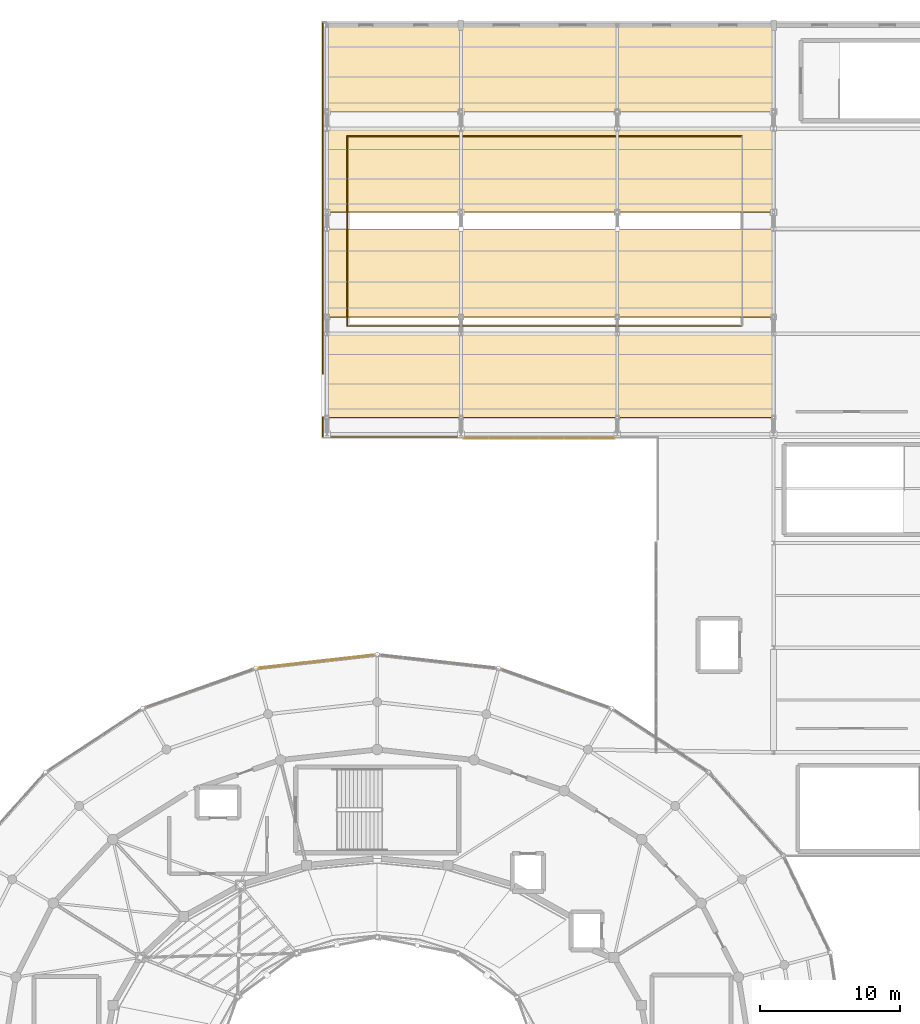
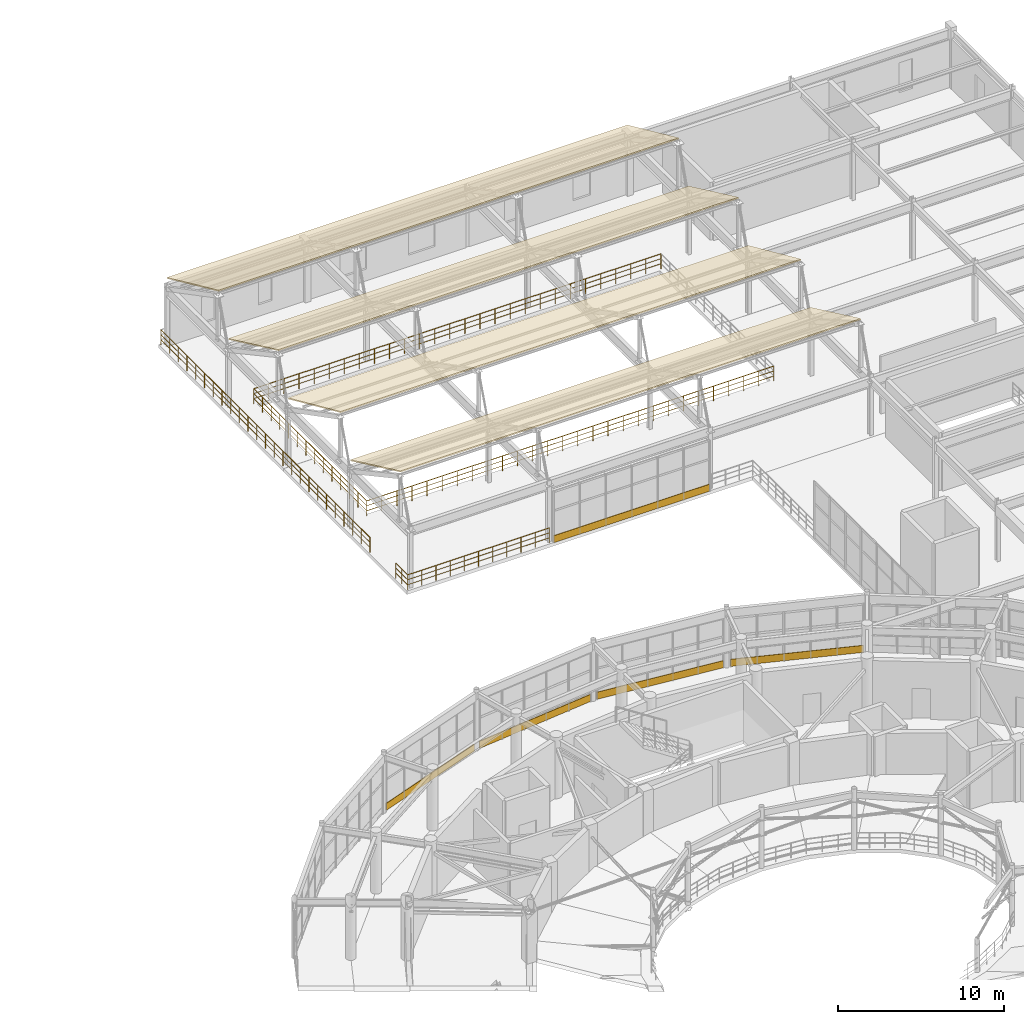
# One storey, part 109 of 112: 9 coverings, 6 railings, 1 element without a shape of its own.
"""IFC4 building model written with IfcOpenShell, lengths in metres."""

from ifc_helpers import new_model, si_unit, direction, frame, origin, origin_2d, place, context, subcontext, project, spatial, polyline, rectangle, circle, outline, extrude, material, layer, layer_set, type_object, element, aggregate, save


model = new_model("IFC4")

# Units and contexts
model_context = context("Model", 3, precision=1e-05, world=origin(), true_north=direction((0.0, 1.0)))
body_context = subcontext(model_context, "Body", "Model", "MODEL_VIEW")
ifc_project = project(units=[si_unit("LENGTHUNIT", "METRE"), si_unit("AREAUNIT", "SQUARE_METRE"), si_unit("VOLUMEUNIT", "CUBIC_METRE"), si_unit("PLANEANGLEUNIT", "RADIAN"), si_unit("MASSUNIT", "GRAM", prefix="KILO")], contexts=[model_context])

# Site, building, storey
site_placement = place(None, origin())
site = spatial("IfcSite", under=ifc_project, at=site_placement, CompositionType="ELEMENT")
building_placement = place(site_placement, origin())
building = spatial("IfcBuilding", under=site, at=building_placement, Name="Cinderbank Siding Concert Hall", CompositionType="ELEMENT")
storey_placement = place(building_placement, frame((0.0, 0.0, 10.199951171875)))
storey = spatial("IfcBuildingStorey", under=building, at=storey_placement, Name="L03", CompositionType="ELEMENT", Elevation=10.199951171875)

# Railings
ifc_material_1 = material(Name="Spotted gum glulam timber GL18 (42 MPa)", Category="wood")
railing_type_1 = type_object("IfcRailingType", Name="BAL-01 Auditorium Tier Balustrade 1120mm", PredefinedType="BALUSTRADE", material=ifc_material_1)
railing_1_placement = place(storey_placement, frame((119.85009765625, 96.35009765625, 0.0)))
element("IfcRailing", 1, at=railing_1_placement, inside=storey, type_object=railing_type_1, Name="L03 OR Gallery Balustrade 0", PredefinedType="BALUSTRADE", context=body_context, shape_type="SweptSolid", body=[
    extrude(circle(Radius=0.02392578125, at=origin_2d()), frame((0.0, 0.0, 1.09619140625), z_axis=(1.0, 0.0, 0.0), x_axis=(0.0, 1.0, 0.0)), (0.0, 0.0, 1.0), 28.2998046875),
    extrude(circle(Radius=0.01611328125, at=origin_2d()), frame((0.0, 0.0, 0.36962890625), z_axis=(1.0, 0.0, 0.0), x_axis=(0.0, 1.0, 0.0)), (0.0, 0.0, 1.0), 28.2998046875),
    extrude(circle(Radius=0.01611328125, at=origin_2d()), frame((0.0, 0.0, 0.7392578125), z_axis=(1.0, 0.0, 0.0), x_axis=(0.0, 1.0, 0.0)), (0.0, 0.0, 1.0), 28.2998046875),
    extrude(circle(Radius=0.02099609375, at=origin_2d()), origin(), (0.0, 0.0, 1.0), 1.072021484375),
    extrude(circle(Radius=0.02099609375, at=origin_2d()), frame((1.048095703125, 0.0, 0.0)), (0.0, 0.0, 1.0), 1.072021484375),
    extrude(circle(Radius=0.02099609375, at=origin_2d()), frame((2.09619140625, 0.0, 0.0)), (0.0, 0.0, 1.0), 1.072021484375),
    extrude(circle(Radius=0.02099609375, at=origin_2d()), frame((3.14453125, 0.0, 0.0)), (0.0, 0.0, 1.0), 1.072021484375),
    extrude(circle(Radius=0.02099609375, at=origin_2d()), frame((4.192626953125, 0.0, 0.0)), (0.0, 0.0, 1.0), 1.072021484375),
    extrude(circle(Radius=0.02099609375, at=origin_2d()), frame((5.24072265625, 0.0, 0.0)), (0.0, 0.0, 1.0), 1.072021484375),
    extrude(circle(Radius=0.02099609375, at=origin_2d()), frame((6.288818359375, 0.0, 0.0)), (0.0, 0.0, 1.0), 1.072021484375),
    extrude(circle(Radius=0.02099609375, at=origin_2d()), frame((7.3369140625, 0.0, 0.0)), (0.0, 0.0, 1.0), 1.072021484375),
    extrude(circle(Radius=0.02099609375, at=origin_2d()), frame((8.385009765625, 0.0, 0.0)), (0.0, 0.0, 1.0), 1.072021484375),
    extrude(circle(Radius=0.02099609375, at=origin_2d()), frame((9.433349609375, 0.0, 0.0)), (0.0, 0.0, 1.0), 1.072021484375),
    extrude(circle(Radius=0.02099609375, at=origin_2d()), frame((10.4814453125, 0.0, 0.0)), (0.0, 0.0, 1.0), 1.072021484375),
    extrude(circle(Radius=0.02099609375, at=origin_2d()), frame((11.529541015625, 0.0, 0.0)), (0.0, 0.0, 1.0), 1.072021484375),
    extrude(circle(Radius=0.02099609375, at=origin_2d()), frame((12.57763671875, 0.0, 0.0)), (0.0, 0.0, 1.0), 1.072021484375),
    extrude(circle(Radius=0.02099609375, at=origin_2d()), frame((13.625732421875, 0.0, 0.0)), (0.0, 0.0, 1.0), 1.072021484375),
    extrude(circle(Radius=0.02099609375, at=origin_2d()), frame((14.674072265625, 0.0, 0.0)), (0.0, 0.0, 1.0), 1.072021484375),
    extrude(circle(Radius=0.02099609375, at=origin_2d()), frame((15.72216796875, 0.0, 0.0)), (0.0, 0.0, 1.0), 1.072021484375),
    extrude(circle(Radius=0.02099609375, at=origin_2d()), frame((16.770263671875, 0.0, 0.0)), (0.0, 0.0, 1.0), 1.072021484375),
    extrude(circle(Radius=0.02099609375, at=origin_2d()), frame((17.818359375, 0.0, 0.0)), (0.0, 0.0, 1.0), 1.072021484375),
    extrude(circle(Radius=0.02099609375, at=origin_2d()), frame((18.866455078125, 0.0, 0.0)), (0.0, 0.0, 1.0), 1.072021484375),
    extrude(circle(Radius=0.02099609375, at=origin_2d()), frame((19.914794921875, 0.0, 0.0)), (0.0, 0.0, 1.0), 1.072021484375),
    extrude(circle(Radius=0.02099609375, at=origin_2d()), frame((20.962890625, 0.0, 0.0)), (0.0, 0.0, 1.0), 1.072021484375),
    extrude(circle(Radius=0.02099609375, at=origin_2d()), frame((22.010986328125, 0.0, 0.0)), (0.0, 0.0, 1.0), 1.072021484375),
    extrude(circle(Radius=0.02099609375, at=origin_2d()), frame((23.05908203125, 0.0, 0.0)), (0.0, 0.0, 1.0), 1.072021484375),
    extrude(circle(Radius=0.02099609375, at=origin_2d()), frame((24.107177734375, 0.0, 0.0)), (0.0, 0.0, 1.0), 1.072021484375),
    extrude(circle(Radius=0.02099609375, at=origin_2d()), frame((25.1552734375, 0.0, 0.0)), (0.0, 0.0, 1.0), 1.072021484375),
    extrude(circle(Radius=0.02099609375, at=origin_2d()), frame((26.20361328125, 0.0, 0.0)), (0.0, 0.0, 1.0), 1.072021484375),
    extrude(circle(Radius=0.02099609375, at=origin_2d()), frame((27.251708984375, 0.0, 0.0)), (0.0, 0.0, 1.0), 1.072021484375),
    extrude(circle(Radius=0.02099609375, at=origin_2d()), frame((28.2998046875, 0.0, 0.0)), (0.0, 0.0, 1.0), 1.072021484375),
])
railing_2_placement = place(storey_placement, frame((148.14990234375, 109.949951171875, 0.0)))
element("IfcRailing", 2, at=railing_2_placement, inside=storey, type_object=railing_type_1, Name="L03 OR Gallery Balustrade 2", PredefinedType="BALUSTRADE", context=body_context, shape_type="SweptSolid", body=[
    extrude(circle(Radius=0.02392578125, at=origin_2d()), frame((0.0, 0.0, 1.09619140625), z_axis=(-1.0, 0.0, 0.0), x_axis=(0.0, -1.0, 0.0)), (0.0, 0.0, 1.0), 28.2998046875),
    extrude(circle(Radius=0.01611328125, at=origin_2d()), frame((0.0, 0.0, 0.36962890625), z_axis=(-1.0, 0.0, 0.0), x_axis=(0.0, -1.0, 0.0)), (0.0, 0.0, 1.0), 28.2998046875),
    extrude(circle(Radius=0.01611328125, at=origin_2d()), frame((0.0, 0.0, 0.7392578125), z_axis=(-1.0, 0.0, 0.0), x_axis=(0.0, -1.0, 0.0)), (0.0, 0.0, 1.0), 28.2998046875),
    extrude(circle(Radius=0.02099609375, at=origin_2d()), origin(), (0.0, 0.0, 1.0), 1.072021484375),
    extrude(circle(Radius=0.02099609375, at=origin_2d()), frame((-1.048095703125, 0.0, 0.0)), (0.0, 0.0, 1.0), 1.072021484375),
    extrude(circle(Radius=0.02099609375, at=origin_2d()), frame((-2.09619140625, 0.0, 0.0)), (0.0, 0.0, 1.0), 1.072021484375),
    extrude(circle(Radius=0.02099609375, at=origin_2d()), frame((-3.14453125, 0.0, 0.0)), (0.0, 0.0, 1.0), 1.072021484375),
    extrude(circle(Radius=0.02099609375, at=origin_2d()), frame((-4.192626953125, 0.0, 0.0)), (0.0, 0.0, 1.0), 1.072021484375),
    extrude(circle(Radius=0.02099609375, at=origin_2d()), frame((-5.24072265625, 0.0, 0.0)), (0.0, 0.0, 1.0), 1.072021484375),
    extrude(circle(Radius=0.02099609375, at=origin_2d()), frame((-6.288818359375, 0.0, 0.0)), (0.0, 0.0, 1.0), 1.072021484375),
    extrude(circle(Radius=0.02099609375, at=origin_2d()), frame((-7.3369140625, 0.0, 0.0)), (0.0, 0.0, 1.0), 1.072021484375),
    extrude(circle(Radius=0.02099609375, at=origin_2d()), frame((-8.385009765625, 0.0, 0.0)), (0.0, 0.0, 1.0), 1.072021484375),
    extrude(circle(Radius=0.02099609375, at=origin_2d()), frame((-9.433349609375, 0.0, 0.0)), (0.0, 0.0, 1.0), 1.072021484375),
    extrude(circle(Radius=0.02099609375, at=origin_2d()), frame((-10.4814453125, 0.0, 0.0)), (0.0, 0.0, 1.0), 1.072021484375),
    extrude(circle(Radius=0.02099609375, at=origin_2d()), frame((-11.529541015625, 0.0, 0.0)), (0.0, 0.0, 1.0), 1.072021484375),
    extrude(circle(Radius=0.02099609375, at=origin_2d()), frame((-12.57763671875, 0.0, 0.0)), (0.0, 0.0, 1.0), 1.072021484375),
    extrude(circle(Radius=0.02099609375, at=origin_2d()), frame((-13.625732421875, 0.0, 0.0)), (0.0, 0.0, 1.0), 1.072021484375),
    extrude(circle(Radius=0.02099609375, at=origin_2d()), frame((-14.674072265625, 0.0, 0.0)), (0.0, 0.0, 1.0), 1.072021484375),
    extrude(circle(Radius=0.02099609375, at=origin_2d()), frame((-15.72216796875, 0.0, 0.0)), (0.0, 0.0, 1.0), 1.072021484375),
    extrude(circle(Radius=0.02099609375, at=origin_2d()), frame((-16.770263671875, 0.0, 0.0)), (0.0, 0.0, 1.0), 1.072021484375),
    extrude(circle(Radius=0.02099609375, at=origin_2d()), frame((-17.818359375, 0.0, 0.0)), (0.0, 0.0, 1.0), 1.072021484375),
    extrude(circle(Radius=0.02099609375, at=origin_2d()), frame((-18.866455078125, 0.0, 0.0)), (0.0, 0.0, 1.0), 1.072021484375),
    extrude(circle(Radius=0.02099609375, at=origin_2d()), frame((-19.914794921875, 0.0, 0.0)), (0.0, 0.0, 1.0), 1.072021484375),
    extrude(circle(Radius=0.02099609375, at=origin_2d()), frame((-20.962890625, 0.0, 0.0)), (0.0, 0.0, 1.0), 1.072021484375),
    extrude(circle(Radius=0.02099609375, at=origin_2d()), frame((-22.010986328125, 0.0, 0.0)), (0.0, 0.0, 1.0), 1.072021484375),
    extrude(circle(Radius=0.02099609375, at=origin_2d()), frame((-23.05908203125, 0.0, 0.0)), (0.0, 0.0, 1.0), 1.072021484375),
    extrude(circle(Radius=0.02099609375, at=origin_2d()), frame((-24.107177734375, 0.0, 0.0)), (0.0, 0.0, 1.0), 1.072021484375),
    extrude(circle(Radius=0.02099609375, at=origin_2d()), frame((-25.1552734375, 0.0, 0.0)), (0.0, 0.0, 1.0), 1.072021484375),
    extrude(circle(Radius=0.02099609375, at=origin_2d()), frame((-26.20361328125, 0.0, 0.0)), (0.0, 0.0, 1.0), 1.072021484375),
    extrude(circle(Radius=0.02099609375, at=origin_2d()), frame((-27.251708984375, 0.0, 0.0)), (0.0, 0.0, 1.0), 1.072021484375),
    extrude(circle(Radius=0.02099609375, at=origin_2d()), frame((-28.2998046875, 0.0, 0.0)), (0.0, 0.0, 1.0), 1.072021484375),
])
railing_3_placement = place(storey_placement, frame((119.85009765625, 109.949951171875, 0.0)))
element("IfcRailing", 3, at=railing_3_placement, inside=storey, type_object=railing_type_1, Name="L03 OR Gallery Balustrade 3", PredefinedType="BALUSTRADE", context=body_context, shape_type="SweptSolid", body=[
    extrude(circle(Radius=0.02392578125, at=origin_2d()), frame((0.0, 0.0, 1.09619140625), z_axis=(0.0, -1.0, 0.0), x_axis=(1.0, 0.0, 0.0)), (0.0, 0.0, 1.0), 13.599853515625),
    extrude(circle(Radius=0.01611328125, at=origin_2d()), frame((0.0, 0.0, 0.36962890625), z_axis=(0.0, -1.0, 0.0), x_axis=(1.0, 0.0, 0.0)), (0.0, 0.0, 1.0), 13.599853515625),
    extrude(circle(Radius=0.01611328125, at=origin_2d()), frame((0.0, 0.0, 0.7392578125), z_axis=(0.0, -1.0, 0.0), x_axis=(1.0, 0.0, 0.0)), (0.0, 0.0, 1.0), 13.599853515625),
    extrude(circle(Radius=0.02099609375, at=origin_2d()), origin(), (0.0, 0.0, 1.0), 1.072021484375),
    extrude(circle(Radius=0.02099609375, at=origin_2d()), frame((0.0, -1.046142578125, 0.0)), (0.0, 0.0, 1.0), 1.072021484375),
    extrude(circle(Radius=0.02099609375, at=origin_2d()), frame((0.0, -2.09228515625, 0.0)), (0.0, 0.0, 1.0), 1.072021484375),
    extrude(circle(Radius=0.02099609375, at=origin_2d()), frame((0.0, -3.138427734375, 0.0)), (0.0, 0.0, 1.0), 1.072021484375),
    extrude(circle(Radius=0.02099609375, at=origin_2d()), frame((0.0, -4.1845703125, 0.0)), (0.0, 0.0, 1.0), 1.072021484375),
    extrude(circle(Radius=0.02099609375, at=origin_2d()), frame((0.0, -5.230712890625, 0.0)), (0.0, 0.0, 1.0), 1.072021484375),
    extrude(circle(Radius=0.02099609375, at=origin_2d()), frame((0.0, -6.27685546875, 0.0)), (0.0, 0.0, 1.0), 1.072021484375),
    extrude(circle(Radius=0.02099609375, at=origin_2d()), frame((0.0, -7.322998046875, 0.0)), (0.0, 0.0, 1.0), 1.072021484375),
    extrude(circle(Radius=0.02099609375, at=origin_2d()), frame((0.0, -8.369140625, 0.0)), (0.0, 0.0, 1.0), 1.072021484375),
    extrude(circle(Radius=0.02099609375, at=origin_2d()), frame((0.0, -9.415283203125, 0.0)), (0.0, 0.0, 1.0), 1.072021484375),
    extrude(circle(Radius=0.02099609375, at=origin_2d()), frame((0.0, -10.46142578125, 0.0)), (0.0, 0.0, 1.0), 1.072021484375),
    extrude(circle(Radius=0.02099609375, at=origin_2d()), frame((0.0, -11.507568359375, 0.0)), (0.0, 0.0, 1.0), 1.072021484375),
    extrude(circle(Radius=0.02099609375, at=origin_2d()), frame((0.0, -12.5537109375, 0.0)), (0.0, 0.0, 1.0), 1.072021484375),
    extrude(circle(Radius=0.02099609375, at=origin_2d()), frame((0.0, -13.599853515625, 0.0)), (0.0, 0.0, 1.0), 1.072021484375),
])

# Coverings
ifc_layer_1 = layer(ifc_material_1, 0.06494140625)
ifc_layer_set_1 = layer_set([ifc_layer_1], Name="Spotted gum glulam timber GL18 (42 MPa)")
covering_type_1 = type_object("IfcCoveringType", Name="CL-01 Spotted Gum Spandrel Band 520mm", PredefinedType="CLADDING", material=ifc_layer_set_1)
covering_1_placement = place(storey_placement, frame((134.748291015625, 70.380126953125, 0.0), z_axis=(0.0, 0.0, 1.0), x_axis=(-0.942365662238, 0.334584755532, 0.0)))
element("IfcCovering", 4, at=covering_1_placement, inside=storey, type_object=covering_type_1, Name="CW-L03-029 Spotted Gum Spandrel Band", PredefinedType="CLADDING", context=body_context, shape_type="SweptSolid", body=[
    extrude(rectangle(XDim=8.1455078125, YDim=0.06494140625, at=origin_2d()), origin(), (0.0, 0.0, 1.0), 0.52001953125),
])
for number, where, z_axis, x_axis, name in (
    (5, (126.34814453125, 72.309326171875, 0.0), (0.0, 0.0, 1.0), (-0.993693605349, 0.112129472879, 0.0), "CW-L03-030 Spotted Gum Spandrel Band"),
    (6, (117.65185546875, 72.309326171875, 0.0), (0.0, 0.0, 1.0), (-0.993693605349, -0.112129472879, 0.0), "CW-L03-031 Spotted Gum Spandrel Band"),
):
    element("IfcCovering", number, at=place(storey_placement, frame(where, z_axis=z_axis, x_axis=x_axis)), inside=storey, type_object=covering_type_1, Name=name, PredefinedType="CLADDING", context=body_context, shape_type="SweptSolid", body=[
        extrude(rectangle(XDim=8.297607421875, YDim=0.06494140625, at=origin_2d()), origin(), (0.0, 0.0, 1.0), 0.52001953125),
    ])
covering_2_placement = place(storey_placement, frame((109.251953125, 70.380126953125, 0.0), z_axis=(0.0, 0.0, 1.0), x_axis=(-0.942365662238, -0.334584755532, 0.0)))
element("IfcCovering", 7, at=covering_2_placement, inside=storey, type_object=covering_type_1, Name="CW-L03-032 Spotted Gum Spandrel Band", PredefinedType="CLADDING", context=body_context, shape_type="SweptSolid", body=[
    extrude(rectangle(XDim=8.1455078125, YDim=0.06494140625, at=origin_2d()), origin(), (0.0, 0.0, 1.0), 0.52001953125),
])
covering_3_placement = place(storey_placement, frame((133.60009765625, 88.300048828125, 0.0), z_axis=(0.0, 0.0, 1.0), x_axis=(1.0, 0.0, 0.0)))
element("IfcCovering", 8, at=covering_3_placement, inside=storey, type_object=covering_type_1, Name="CW-L03-152 Spotted Gum Spandrel Band", PredefinedType="CLADDING", context=body_context, shape_type="SweptSolid", body=[
    extrude(rectangle(XDim=10.81396484375, YDim=0.06494140625, at=origin_2d()), origin(), (0.0, 0.0, 1.0), 0.52001953125),
])

# Railings
ifc_material_2 = material(Name="Structural steel AS/NZS 3679.1 Grade 350 (340 MPa)", Category="steel")
railing_type_2 = type_object("IfcRailingType", Name="GD-01 Terrace & Perimeter Guardrail 1120mm", PredefinedType="GUARDRAIL", material=ifc_material_2)
railing_4_placement = place(storey_placement, frame((127.952880859375, 88.39990234375, 0.0)))
element("IfcRailing", 9, at=railing_4_placement, inside=storey, type_object=railing_type_2, Name="L03 Perimeter Guardrail #64", PredefinedType="GUARDRAIL", context=body_context, shape_type="SweptSolid", body=[
    extrude(circle(Radius=0.02392578125, at=origin_2d()), frame((0.0, 0.0, 1.09619140625), z_axis=(-1.0, 0.0, 0.0), x_axis=(0.0, -1.0, 0.0)), (0.0, 0.0, 1.0), 9.852783203125),
    extrude(circle(Radius=0.01611328125, at=origin_2d()), frame((0.0, 0.0, 0.36962890625), z_axis=(-1.0, 0.0, 0.0), x_axis=(0.0, -1.0, 0.0)), (0.0, 0.0, 1.0), 9.852783203125),
    extrude(circle(Radius=0.01611328125, at=origin_2d()), frame((0.0, 0.0, 0.7392578125), z_axis=(-1.0, 0.0, 0.0), x_axis=(0.0, -1.0, 0.0)), (0.0, 0.0, 1.0), 9.852783203125),
    extrude(circle(Radius=0.02099609375, at=origin_2d()), origin(), (0.0, 0.0, 1.0), 1.072021484375),
    extrude(circle(Radius=0.02099609375, at=origin_2d()), frame((-0.9853515625, 0.0, 0.0)), (0.0, 0.0, 1.0), 1.072021484375),
    extrude(circle(Radius=0.02099609375, at=origin_2d()), frame((-1.970458984375, 0.0, 0.0)), (0.0, 0.0, 1.0), 1.072021484375),
    extrude(circle(Radius=0.02099609375, at=origin_2d()), frame((-2.955810546875, 0.0, 0.0)), (0.0, 0.0, 1.0), 1.072021484375),
    extrude(circle(Radius=0.02099609375, at=origin_2d()), frame((-3.941162109375, 0.0, 0.0)), (0.0, 0.0, 1.0), 1.072021484375),
    extrude(circle(Radius=0.02099609375, at=origin_2d()), frame((-4.92626953125, 0.0, 0.0)), (0.0, 0.0, 1.0), 1.072021484375),
    extrude(circle(Radius=0.02099609375, at=origin_2d()), frame((-5.91162109375, 0.0, 0.0)), (0.0, 0.0, 1.0), 1.072021484375),
    extrude(circle(Radius=0.02099609375, at=origin_2d()), frame((-6.89697265625, 0.0, 0.0)), (0.0, 0.0, 1.0), 1.072021484375),
    extrude(circle(Radius=0.02099609375, at=origin_2d()), frame((-7.88232421875, 0.0, 0.0)), (0.0, 0.0, 1.0), 1.072021484375),
    extrude(circle(Radius=0.02099609375, at=origin_2d()), frame((-8.867431640625, 0.0, 0.0)), (0.0, 0.0, 1.0), 1.072021484375),
    extrude(circle(Radius=0.02099609375, at=origin_2d()), frame((-9.852783203125, 0.0, 0.0)), (0.0, 0.0, 1.0), 1.072021484375),
])
railing_5_placement = place(storey_placement, frame((118.10009765625, 88.39990234375, 0.0)))
element("IfcRailing", 10, at=railing_5_placement, inside=storey, type_object=railing_type_2, Name="L03 Perimeter Guardrail #65", PredefinedType="GUARDRAIL", context=body_context, shape_type="SweptSolid", body=[
    extrude(circle(Radius=0.02392578125, at=origin_2d()), frame((0.0, 0.0, 1.09619140625), z_axis=(0.0, 1.0, 0.0), x_axis=(-1.0, 0.0, 0.0)), (0.0, 0.0, 1.0), 1.420166015625),
    extrude(circle(Radius=0.01611328125, at=origin_2d()), frame((0.0, 0.0, 0.36962890625), z_axis=(0.0, 1.0, 0.0), x_axis=(-1.0, 0.0, 0.0)), (0.0, 0.0, 1.0), 1.420166015625),
    extrude(circle(Radius=0.01611328125, at=origin_2d()), frame((0.0, 0.0, 0.7392578125), z_axis=(0.0, 1.0, 0.0), x_axis=(-1.0, 0.0, 0.0)), (0.0, 0.0, 1.0), 1.420166015625),
    extrude(circle(Radius=0.02099609375, at=origin_2d()), origin(), (0.0, 0.0, 1.0), 1.072021484375),
    extrude(circle(Radius=0.02099609375, at=origin_2d()), frame((0.0, 0.7099609375, 0.0)), (0.0, 0.0, 1.0), 1.072021484375),
    extrude(circle(Radius=0.02099609375, at=origin_2d()), frame((0.0, 1.420166015625, 0.0)), (0.0, 0.0, 1.0), 1.072021484375),
])
railing_6_placement = place(storey_placement, frame((118.10009765625, 92.919921875, 0.0)))
element("IfcRailing", 11, at=railing_6_placement, inside=storey, type_object=railing_type_2, Name="L03 Perimeter Guardrail #66", PredefinedType="GUARDRAIL", context=body_context, shape_type="SweptSolid", body=[
    extrude(circle(Radius=0.02392578125, at=origin_2d()), frame((0.0, 0.0, 1.09619140625), z_axis=(0.0, 1.0, 0.0), x_axis=(-1.0, 0.0, 0.0)), (0.0, 0.0, 1.0), 25.18017578125),
    extrude(circle(Radius=0.01611328125, at=origin_2d()), frame((0.0, 0.0, 0.36962890625), z_axis=(0.0, 1.0, 0.0), x_axis=(-1.0, 0.0, 0.0)), (0.0, 0.0, 1.0), 25.18017578125),
    extrude(circle(Radius=0.01611328125, at=origin_2d()), frame((0.0, 0.0, 0.7392578125), z_axis=(0.0, 1.0, 0.0), x_axis=(-1.0, 0.0, 0.0)), (0.0, 0.0, 1.0), 25.18017578125),
    extrude(circle(Radius=0.02099609375, at=origin_2d()), origin(), (0.0, 0.0, 1.0), 1.072021484375),
    extrude(circle(Radius=0.02099609375, at=origin_2d()), frame((0.0, 1.049072265625, 0.0)), (0.0, 0.0, 1.0), 1.072021484375),
    extrude(circle(Radius=0.02099609375, at=origin_2d()), frame((0.0, 2.098388671875, 0.0)), (0.0, 0.0, 1.0), 1.072021484375),
    extrude(circle(Radius=0.02099609375, at=origin_2d()), frame((0.0, 3.1474609375, 0.0)), (0.0, 0.0, 1.0), 1.072021484375),
    extrude(circle(Radius=0.02099609375, at=origin_2d()), frame((0.0, 4.19677734375, 0.0)), (0.0, 0.0, 1.0), 1.072021484375),
    extrude(circle(Radius=0.02099609375, at=origin_2d()), frame((0.0, 5.245849609375, 0.0)), (0.0, 0.0, 1.0), 1.072021484375),
    extrude(circle(Radius=0.02099609375, at=origin_2d()), frame((0.0, 6.294921875, 0.0)), (0.0, 0.0, 1.0), 1.072021484375),
    extrude(circle(Radius=0.02099609375, at=origin_2d()), frame((0.0, 7.34423828125, 0.0)), (0.0, 0.0, 1.0), 1.072021484375),
    extrude(circle(Radius=0.02099609375, at=origin_2d()), frame((0.0, 8.393310546875, 0.0)), (0.0, 0.0, 1.0), 1.072021484375),
    extrude(circle(Radius=0.02099609375, at=origin_2d()), frame((0.0, 9.442626953125, 0.0)), (0.0, 0.0, 1.0), 1.072021484375),
    extrude(circle(Radius=0.02099609375, at=origin_2d()), frame((0.0, 10.49169921875, 0.0)), (0.0, 0.0, 1.0), 1.072021484375),
    extrude(circle(Radius=0.02099609375, at=origin_2d()), frame((0.0, 11.541015625, 0.0)), (0.0, 0.0, 1.0), 1.072021484375),
    extrude(circle(Radius=0.02099609375, at=origin_2d()), frame((0.0, 12.590087890625, 0.0)), (0.0, 0.0, 1.0), 1.072021484375),
    extrude(circle(Radius=0.02099609375, at=origin_2d()), frame((0.0, 13.63916015625, 0.0)), (0.0, 0.0, 1.0), 1.072021484375),
    extrude(circle(Radius=0.02099609375, at=origin_2d()), frame((0.0, 14.6884765625, 0.0)), (0.0, 0.0, 1.0), 1.072021484375),
    extrude(circle(Radius=0.02099609375, at=origin_2d()), frame((0.0, 15.737548828125, 0.0)), (0.0, 0.0, 1.0), 1.072021484375),
    extrude(circle(Radius=0.02099609375, at=origin_2d()), frame((0.0, 16.786865234375, 0.0)), (0.0, 0.0, 1.0), 1.072021484375),
    extrude(circle(Radius=0.02099609375, at=origin_2d()), frame((0.0, 17.8359375, 0.0)), (0.0, 0.0, 1.0), 1.072021484375),
    extrude(circle(Radius=0.02099609375, at=origin_2d()), frame((0.0, 18.88525390625, 0.0)), (0.0, 0.0, 1.0), 1.072021484375),
    extrude(circle(Radius=0.02099609375, at=origin_2d()), frame((0.0, 19.934326171875, 0.0)), (0.0, 0.0, 1.0), 1.072021484375),
    extrude(circle(Radius=0.02099609375, at=origin_2d()), frame((0.0, 20.9833984375, 0.0)), (0.0, 0.0, 1.0), 1.072021484375),
    extrude(circle(Radius=0.02099609375, at=origin_2d()), frame((0.0, 22.03271484375, 0.0)), (0.0, 0.0, 1.0), 1.072021484375),
    extrude(circle(Radius=0.02099609375, at=origin_2d()), frame((0.0, 23.081787109375, 0.0)), (0.0, 0.0, 1.0), 1.072021484375),
    extrude(circle(Radius=0.02099609375, at=origin_2d()), frame((0.0, 24.131103515625, 0.0)), (0.0, 0.0, 1.0), 1.072021484375),
    extrude(circle(Radius=0.02099609375, at=origin_2d()), frame((0.0, 25.18017578125, 0.0)), (0.0, 0.0, 1.0), 1.072021484375),
])

# Roof, coverings
ifc_material_3 = material(Name="Patinated sheet copper roofing", Category="metal")
roof_type = type_object("IfcRoofType", Name="RF-SH1 Orchestral Sawtooth Roof", PredefinedType="SHED_ROOF", material=ifc_material_3)
roof_placement = place(storey_placement, origin())
roof = element("IfcRoof", 12, at=roof_placement, inside=storey, type_object=roof_type, Name="Orchestral Rehearsal Sawtooth Roof", PredefinedType="SHED_ROOF")
ifc_layer_2 = layer(ifc_material_3, 0.080078125)
ifc_layer_set_2 = layer_set([ifc_layer_2], Name="Patinated sheet copper roofing")
covering_type_2 = type_object("IfcCoveringType", Name="RC-01 Standing Seam Copper Roofing", PredefinedType="ROOFING", material=ifc_layer_set_2)
covering_4_placement = place(storey_placement, frame((118.39990234375, 95.800048828125, 4.9599609375), z_axis=(0.0, 0.425369585293, 0.905019732331), x_axis=(1.0, 0.0, 0.0)))
covering_4 = element("IfcCovering", 13, at=covering_4_placement, type_object=covering_type_2, Name="Sawtooth Copper Slope 1", PredefinedType="ROOFING", context=body_context, shape_type="SweptSolid", body=[
    extrude(outline(polyline([(0.0, 0.0), (32.0, 0.0), (32.0, -6.629689702508557), (0.0, -6.629689702508557), (0.0, 0.0)])), origin(), (0.0, 0.0, -1.0), 0.080078125),
])
covering_5_placement = place(storey_placement, frame((118.39990234375, 103.300048828125, 4.9599609375), z_axis=(0.0, 0.408562271057, 0.91273044798), x_axis=(1.0, 0.0, 0.0)))
covering_5 = element("IfcCovering", 14, at=covering_5_placement, type_object=covering_type_2, Name="Sawtooth Copper Slope 2", PredefinedType="ROOFING", context=body_context, shape_type="SweptSolid", body=[
    extrude(outline(polyline([(0.0, 0.0), (32.0, 0.0), (32.0, -6.902419922629106), (0.0, -6.902419922629106), (0.0, 0.0)])), origin(), (0.0, 0.0, -1.0), 0.080078125),
])
covering_6_placement = place(storey_placement, frame((118.39990234375, 110.5, 4.9599609375), z_axis=(0.0, 0.425369585293, 0.905019732331), x_axis=(1.0, 0.0, 0.0)))
covering_6 = element("IfcCovering", 15, at=covering_6_placement, type_object=covering_type_2, Name="Sawtooth Copper Slope 3", PredefinedType="ROOFING", context=body_context, shape_type="SweptSolid", body=[
    extrude(outline(polyline([(0.0, 0.0), (32.0, 0.0), (32.0, -6.629689702508557), (0.0, -6.629689702508557), (0.0, 0.0)])), origin(), (0.0, 0.0, -1.0), 0.080078125),
])
covering_7_placement = place(storey_placement, frame((118.39990234375, 117.89990234375, 4.9599609375), z_axis=(0.0, 0.414035180952, 0.910260879602), x_axis=(1.0, 0.0, 0.0)))
covering_7 = element("IfcCovering", 16, at=covering_7_placement, type_object=covering_type_2, Name="Sawtooth Copper Slope 4", PredefinedType="ROOFING", context=body_context, shape_type="SweptSolid", body=[
    extrude(outline(polyline([(0.0, 0.0), (32.0, 0.0), (32.0, -6.811180520672036), (0.0, -6.811180520672036), (0.0, 0.0)])), origin(), (0.0, 0.0, -1.0), 0.080078125),
])
aggregate(roof, [covering_4, covering_5, covering_6, covering_7])

save(model, "model.ifc")
